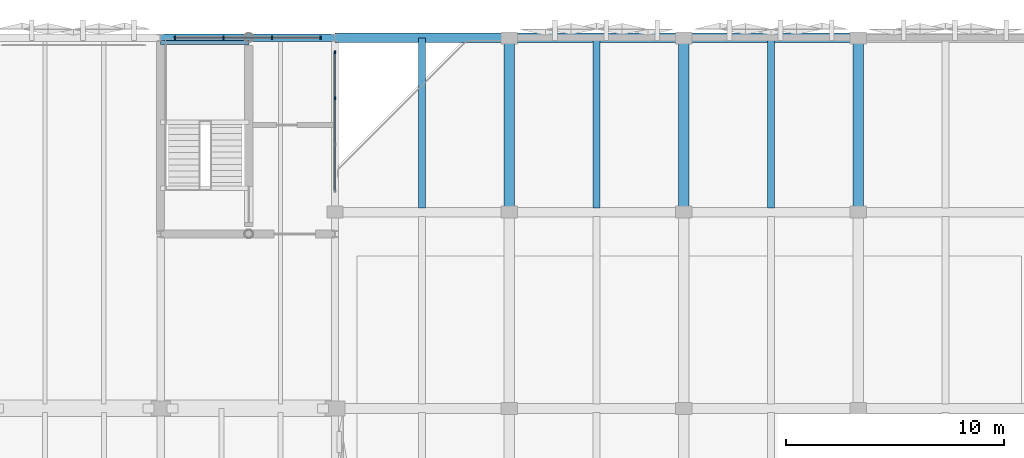
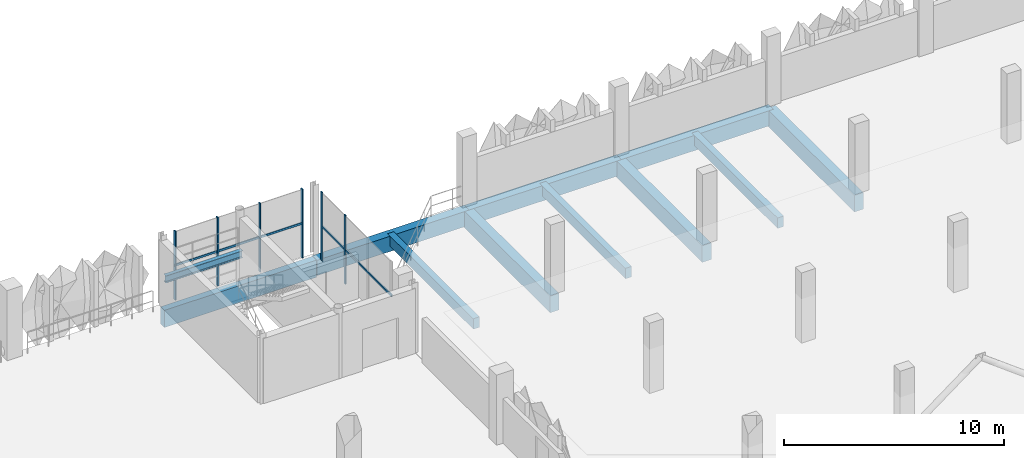
# One storey, part 58 of 123: 11 beams, 8 members, 2 elements without a shape of their own.
"""IFC4 building model written with IfcOpenShell, lengths in metres."""

from ifc_helpers import new_model, si_unit, derived_unit, direction, frame, origin, origin_2d, place, context, subcontext, project, spatial, rectangle, i_section, extrude, material, layer, layer_set, material_profile, profile_set, type_object, element, aggregate, save


model = new_model("IFC4")

# Units and contexts
model_context = context("Model", 3, precision=1e-05, world=origin(), true_north=direction((0.0, 1.0)))
body_context = subcontext(model_context, "Body", "Model", "MODEL_VIEW")
ifc_project = project(units=[si_unit("LENGTHUNIT", "METRE"), si_unit("AREAUNIT", "SQUARE_METRE"), si_unit("VOLUMEUNIT", "CUBIC_METRE"), si_unit("PLANEANGLEUNIT", "RADIAN"), si_unit("MASSUNIT", "GRAM", prefix="KILO"), si_unit("THERMODYNAMICTEMPERATUREUNIT", "KELVIN"), derived_unit("THERMALTRANSMITTANCEUNIT", [(si_unit("POWERUNIT", "WATT"), 1), (si_unit("AREAUNIT", "SQUARE_METRE"), -1), (si_unit("THERMODYNAMICTEMPERATUREUNIT", "KELVIN"), -1)])], contexts=[model_context])

# Site, building, storey
site_placement = place(None, origin())
site = spatial("IfcSite", under=ifc_project, at=site_placement, CompositionType="ELEMENT")
building_placement = place(site_placement, origin())
building = spatial("IfcBuilding", under=site, at=building_placement, Name="Haiyu Intermodal Mobility Hub", CompositionType="ELEMENT")
storey_placement = place(building_placement, frame((0.0, 0.0, 5.60009765625)))
storey = spatial("IfcBuildingStorey", under=building, at=storey_placement, Name="L01", CompositionType="ELEMENT", Elevation=5.60009765625)

# Beams
ifc_material_1 = material(Name="Concrete C40", Category="concrete")
ifc_material_profile_1 = material_profile(ifc_material_1, rectangle(XDim=0.449951171875, YDim=0.85009765625, at=origin_2d()), Name="RCB450x850")
ifc_profile_set_1 = profile_set([ifc_material_profile_1], Name="Concrete C40")
beam_type_1 = type_object("IfcBeamType", Name="BM-CB02-EXT", PredefinedType="BEAM", material=ifc_profile_set_1)
for number, where, z_axis, x_axis, name in (
    (1, (162.0, 148.0, -0.68505859375), (1.0, 0.0, 0.0), (0.0, 1.0, 0.0), "BM-V6G-L01-049"),
    (2, (170.0, 148.0, -0.68505859375), (1.0, 0.0, 0.0), (0.0, 1.0, 0.0), "BM-V6G-L01-050"),
    (3, (178.0, 148.0, -0.68505859375), (1.0, 0.0, 0.0), (0.0, 1.0, 0.0), "BM-V6G-L01-051"),
):
    element("IfcBeam", number, at=place(storey_placement, frame(where, z_axis=z_axis, x_axis=x_axis)), inside=storey, type_object=beam_type_1, Name=name, PredefinedType="BEAM", context=body_context, shape_type="SweptSolid", body=[
        extrude(rectangle(XDim=0.449951171875, YDim=0.85009765625, at=origin_2d()), origin(), (0.0, 0.0, 1.0), 8.0),
    ])
ifc_material_profile_2 = material_profile(ifc_material_1, rectangle(XDim=0.47998046875, YDim=0.919921875, at=origin_2d()), Name="B480x920")
ifc_profile_set_2 = profile_set([ifc_material_profile_2], Name="Concrete C40")
beam_type_2 = type_object("IfcBeamType", Name="BM-CB13", PredefinedType="BEAM", material=ifc_profile_set_2)
for number, where, z_axis, x_axis, name in (
    (4, (170.0, 140.0, -0.72021484375), (0.0, 1.0, 0.0), (-1.0, 0.0, 0.0), "BM-V6T-L01-016"),
    (5, (178.0, 140.0, -0.72021484375), (0.0, 1.0, 0.0), (-1.0, 0.0, 0.0), "BM-V6T-L01-024"),
    (6, (186.0, 140.0, -0.72021484375), (0.0, 1.0, 0.0), (-1.0, 0.0, 0.0), "BM-V6T-L01-032"),
):
    element("IfcBeam", number, at=place(storey_placement, frame(where, z_axis=z_axis, x_axis=x_axis)), inside=storey, type_object=beam_type_2, Name=name, PredefinedType="BEAM", context=body_context, shape_type="SweptSolid", body=[
        extrude(rectangle(XDim=0.47998046875, YDim=0.919921875, at=origin_2d()), origin(), (0.0, 0.0, 1.0), 8.0),
    ])
ifc_material_profile_3 = material_profile(ifc_material_1, rectangle(XDim=0.320068359375, YDim=0.580078125, at=origin_2d()), Name="B320x580")
ifc_profile_set_3 = profile_set([ifc_material_profile_3], Name="Concrete C40")
beam_type_3 = type_object("IfcBeamType", Name="BM-CB17", PredefinedType="JOIST", material=ifc_profile_set_3)
for number, where, z_axis, x_axis, name in (
    (7, (166.0, 140.195068359375, -0.550048828125), (0.0, 1.0, 0.0), (-1.0, 0.0, 0.0), "BM-V6J-L01-008"),
    (8, (174.0, 140.195068359375, -0.550048828125), (0.0, 1.0, 0.0), (-1.0, 0.0, 0.0), "BM-V6J-L01-016"),
    (9, (182.0, 140.195068359375, -0.550048828125), (0.0, 1.0, 0.0), (-1.0, 0.0, 0.0), "BM-V6J-L01-022"),
):
    element("IfcBeam", number, at=place(storey_placement, frame(where, z_axis=z_axis, x_axis=x_axis)), inside=storey, type_object=beam_type_3, Name=name, PredefinedType="JOIST", context=body_context, shape_type="SweptSolid", body=[
        extrude(rectangle(XDim=0.320068359375, YDim=0.580078125, at=origin_2d()), origin(), (0.0, 0.0, 1.0), 7.804931640625),
    ])
ifc_material_2 = material(Name="Steel Q355C", Category="steel")
ifc_material_profile_4 = material_profile(ifc_material_2, i_section(OverallWidth=0.199951171875, OverallDepth=0.39990234375, WebThickness=0.008056640625, FlangeThickness=0.012939453125, FilletRadius=0.01611328125, at=origin_2d()), Name="HN400x200x8x13")
ifc_profile_set_4 = profile_set([ifc_material_profile_4], Name="Steel Q355C")
beam_type_4 = type_object("IfcBeamType", Name="BM-SB08", PredefinedType="JOIST", material=ifc_profile_set_4)
beam_1_placement = place(storey_placement, frame((154.0, 147.780029296875, 1.52490234375), z_axis=(1.0, 0.0, 0.0), x_axis=(0.0, 1.0, 0.0)))
element("IfcBeam", 10, at=beam_1_placement, inside=storey, type_object=beam_type_4, Name="Stair Half-Landing Rear Beam C4-L01", PredefinedType="JOIST", context=body_context, shape_type="SweptSolid", body=[
    extrude(i_section(OverallWidth=0.199951171875, OverallDepth=0.39990234375, WebThickness=0.008056640625, FlangeThickness=0.012939453125, FilletRadius=0.01611328125, at=origin_2d()), origin(), (0.0, 0.0, 1.0), 4.050048828125),
])
ifc_material_3 = material(Name="Precast concrete C40", Category="concrete")
ifc_material_profile_5 = material_profile(ifc_material_3, rectangle(XDim=0.35009765625, YDim=0.949951171875, at=origin_2d()), Name="PC350x950")
ifc_profile_set_5 = profile_set([ifc_material_profile_5], Name="Precast concrete C40")
beam_type_5 = type_object("IfcBeamType", Name="BM-SP01", PredefinedType="SPANDREL", material=ifc_profile_set_5)
beam_2_placement = place(storey_placement, frame((154.0, 148.0, -0.75), z_axis=(1.0, 0.0, 0.0), x_axis=(0.0, 1.0, 0.0)))
element("IfcBeam", 11, at=beam_2_placement, inside=storey, type_object=beam_type_5, Name="BM-V4G-L01-064", PredefinedType="SPANDREL", context=body_context, shape_type="SweptSolid", body=[
    extrude(rectangle(XDim=0.35009765625, YDim=0.949951171875, at=origin_2d()), origin(), (0.0, 0.0, 1.0), 8.0),
])

# Curtain wall, members
ifc_material_4 = material(Name="Low-e laminated insulating glass", Category="glass")
ifc_layer = layer(ifc_material_4, 0.199951171875)
ifc_layer_set = layer_set([ifc_layer], Name="Low-e laminated insulating glass")
curtain_wall_type = type_object("IfcCurtainWallType", Name="CW-CW03", PredefinedType="NOTDEFINED", material=ifc_layer_set)
curtain_wall_1_placement = place(storey_placement, origin())
curtain_wall_1 = element("IfcCurtainWall", 12, at=curtain_wall_1_placement, inside=storey, type_object=curtain_wall_type, Name="Curtain Wall CW-C4N-L01-065", PredefinedType="NOTDEFINED")
ifc_material_5 = material(Name="Anodised aluminium 6063-T6", Category="aluminium")
ifc_material_profile_6 = material_profile(ifc_material_5, rectangle(XDim=0.06005859375, YDim=0.14501953125, at=origin_2d()), Name="ALU60x145")
ifc_profile_set_6 = profile_set([ifc_material_profile_6], Name="Anodised aluminium 6063-T6")
member_type_1 = type_object("IfcMemberType", Name="CWM-ML03", PredefinedType="MULLION", material=ifc_profile_set_6)
member_1_placement = place(storey_placement, frame((161.340087890625, 148.0, 0.0), z_axis=(0.0, 0.0, 1.0), x_axis=(1.0, 0.0, 0.0)))
member_1 = element("IfcMember", 13, at=member_1_placement, type_object=member_type_1, Name="CW-C4N-L01-065-ML01", PredefinedType="MULLION", context=body_context, shape_type="SweptSolid", body=[
    extrude(rectangle(XDim=0.06005859375, YDim=0.14501953125, at=origin_2d()), origin(), (0.0, 0.0, 1.0), 3.81982421875),
])
member_2_placement = place(storey_placement, frame((159.113037109375, 148.0, 0.0), z_axis=(0.0, 0.0, 1.0), x_axis=(1.0, 0.0, 0.0)))
member_2 = element("IfcMember", 14, at=member_2_placement, type_object=member_type_1, Name="CW-C4N-L01-065-ML02", PredefinedType="MULLION", context=body_context, shape_type="SweptSolid", body=[
    extrude(rectangle(XDim=0.06005859375, YDim=0.14501953125, at=origin_2d()), origin(), (0.0, 0.0, 1.0), 3.81982421875),
])
member_3_placement = place(storey_placement, frame((156.886962890625, 148.0, 0.0), z_axis=(0.0, 0.0, 1.0), x_axis=(1.0, 0.0, 0.0)))
member_3 = element("IfcMember", 15, at=member_3_placement, type_object=member_type_1, Name="CW-C4N-L01-065-ML03", PredefinedType="MULLION", context=body_context, shape_type="SweptSolid", body=[
    extrude(rectangle(XDim=0.06005859375, YDim=0.14501953125, at=origin_2d()), origin(), (0.0, 0.0, 1.0), 3.81982421875),
])
member_4_placement = place(storey_placement, frame((154.659912109375, 148.0, 0.0), z_axis=(0.0, 0.0, 1.0), x_axis=(1.0, 0.0, 0.0)))
member_4 = element("IfcMember", 16, at=member_4_placement, type_object=member_type_1, Name="CW-C4N-L01-065-ML04", PredefinedType="MULLION", context=body_context, shape_type="SweptSolid", body=[
    extrude(rectangle(XDim=0.06005859375, YDim=0.14501953125, at=origin_2d()), origin(), (0.0, 0.0, 1.0), 3.81982421875),
])

curtain_wall_2_placement = place(storey_placement, origin())
curtain_wall_2 = element("IfcCurtainWall", 17, at=curtain_wall_2_placement, inside=storey, type_object=curtain_wall_type, Name="Curtain Wall CW-C4S-L01-066", PredefinedType="NOTDEFINED")
member_5_placement = place(storey_placement, frame((162.0, 145.222900390625, 0.0), z_axis=(0.0, 0.0, 1.0), x_axis=(1.0, 0.0, 0.0)))
member_5 = element("IfcMember", 18, at=member_5_placement, type_object=member_type_1, Name="CW-C4S-L01-066-ML03", PredefinedType="MULLION", context=body_context, shape_type="SweptSolid", body=[
    extrude(rectangle(XDim=0.06005859375, YDim=0.14501953125, at=origin_2d()), origin(), (0.0, 0.0, 1.0), 3.81982421875),
])
member_6_placement = place(storey_placement, frame((162.0, 147.340087890625, 0.0), z_axis=(0.0, 0.0, 1.0), x_axis=(1.0, 0.0, 0.0)))
member_6 = element("IfcMember", 19, at=member_6_placement, type_object=member_type_1, Name="CW-C4S-L01-066-ML04", PredefinedType="MULLION", context=body_context, shape_type="SweptSolid", body=[
    extrude(rectangle(XDim=0.06005859375, YDim=0.14501953125, at=origin_2d()), origin(), (0.0, 0.0, 1.0), 3.81982421875),
])

# Member
ifc_material_profile_7 = material_profile(ifc_material_5, rectangle(XDim=0.06005859375, YDim=0.114990234375, at=origin_2d()), Name="ALU60x115")
ifc_profile_set_7 = profile_set([ifc_material_profile_7], Name="Anodised aluminium 6063-T6")
member_type_2 = type_object("IfcMemberType", Name="CWM-TR03", PredefinedType="USERDEFINED", material=ifc_profile_set_7)
member_7_placement = place(storey_placement, frame((161.3798828125, 148.0, 1.909912109375), z_axis=(-1.0, 0.0, 0.0), x_axis=(0.0, -1.0, 0.0)))
member_7 = element("IfcMember", 20, at=member_7_placement, type_object=member_type_2, Name="CW-C4N-L01-065-TR01", ObjectType="TRANSOM", PredefinedType="USERDEFINED", context=body_context, shape_type="SweptSolid", body=[
    extrude(rectangle(XDim=0.06005859375, YDim=0.114990234375, at=origin_2d()), origin(), (0.0, 0.0, 1.0), 6.759765625),
])

aggregate(curtain_wall_1, [member_1, member_2, member_3, member_4, member_7])

member_8_placement = place(storey_placement, frame((162.0, 140.949951171875, 1.909912109375), z_axis=(0.0, 1.0, 0.0), x_axis=(-1.0, 0.0, 0.0)))
member_8 = element("IfcMember", 21, at=member_8_placement, type_object=member_type_2, Name="CW-C4S-L01-066-TR01", ObjectType="TRANSOM", PredefinedType="USERDEFINED", context=body_context, shape_type="SweptSolid", body=[
    extrude(rectangle(XDim=0.06005859375, YDim=0.114990234375, at=origin_2d()), origin(), (0.0, 0.0, 1.0), 6.429931640625),
])

aggregate(curtain_wall_2, [member_5, member_6, member_8])

save(model, "model.ifc")
